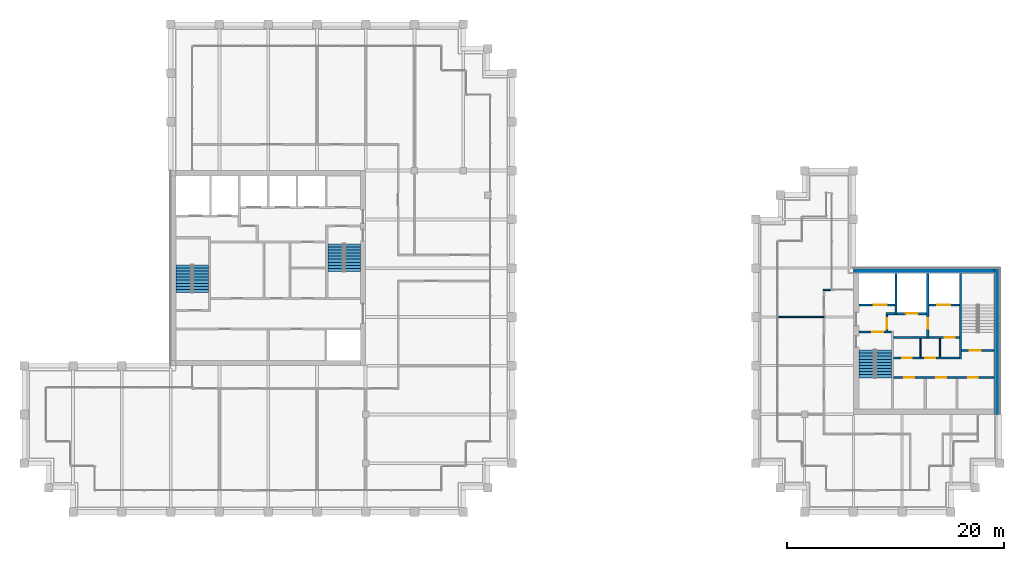
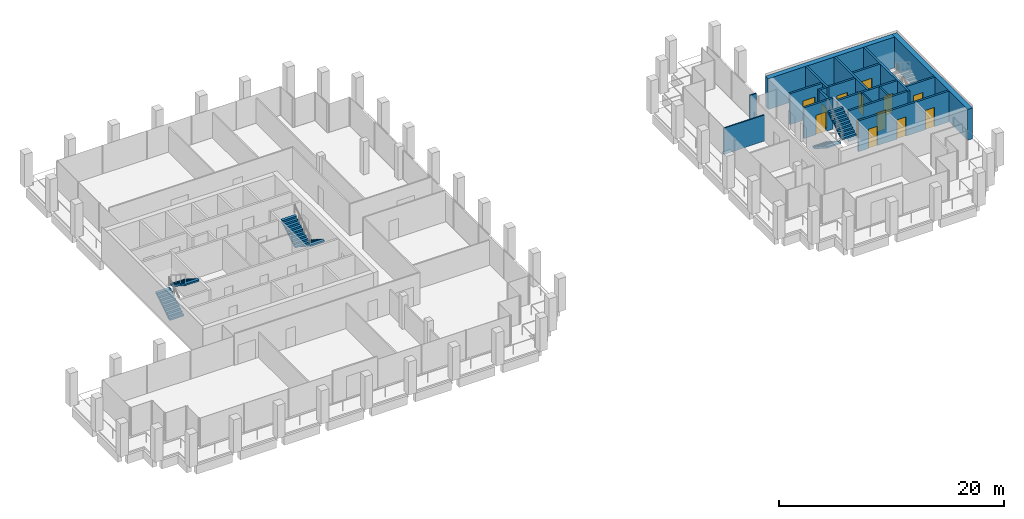
# One storey, part 38 of 40: 19 walls, 13 doors, 6 stair flights, 13 openings, 3 elements without a shape of their own.
"""IFC4 building model written with IfcOpenShell, lengths in metres."""

from ifc_helpers import new_model, si_unit, direction, frame, frame_2d, origin, place, context, subcontext, project, spatial, polyline, rectangle, outline, extrude, material, layer, layer_set, type_object, element, fill, aggregate, save


model = new_model("IFC4")

# Units and contexts
model_context = context("Model", 3, precision=1e-05, world=origin(), true_north=direction((0.0, 1.0)))
body_context = subcontext(model_context, "Body", "Model", "MODEL_VIEW")
ifc_project = project(units=[si_unit("LENGTHUNIT", "METRE"), si_unit("AREAUNIT", "SQUARE_METRE"), si_unit("VOLUMEUNIT", "CUBIC_METRE"), si_unit("PLANEANGLEUNIT", "RADIAN"), si_unit("MASSUNIT", "GRAM", prefix="KILO")], contexts=[model_context])

# Site, building, storey
site_placement = place(None, origin())
site = spatial("IfcSite", under=ifc_project, at=site_placement, CompositionType="ELEMENT")
building_placement = place(site_placement, origin())
building = spatial("IfcBuilding", under=site, at=building_placement, Name="Altepetl Exchange Towers", CompositionType="ELEMENT")
storey_placement = place(building_placement, frame((0.0, 0.0, 199.199951171875)))
storey = spatial("IfcBuildingStorey", under=building, at=storey_placement, Name="L50", CompositionType="ELEMENT", Elevation=199.199951171875)

# Walls
ifc_material_1 = material(Name="Concrete C70/85", Category="concrete")
ifc_layer_1 = layer(ifc_material_1, 0.5)
ifc_layer_set_1 = layer_set([ifc_layer_1], Name="Concrete C70/85")
wall_type_1 = type_object("IfcWallType", Name="Core wall 500 reinforced concrete external", PredefinedType="SHEAR", material=ifc_layer_set_1)
wall_1_placement = place(storey_placement, frame((116.75, 36.0, 0.0), z_axis=(0.0, 0.0, 1.0), x_axis=(0.0, 1.0, 0.0)))
element("IfcWall", 1, at=wall_1_placement, inside=storey, type_object=wall_type_1, Name="wall:B:L50:K-coreE", PredefinedType="SHEAR", context=body_context, shape_type="SweptSolid", body=[
    extrude(rectangle(XDim=13.5, YDim=0.5, at=frame_2d((6.75, 0.0))), origin(), (0.0, 0.0, 1.0), 3.35009765625),
])
wall_2_placement = place(storey_placement, frame((103.5, 49.25, 0.0)))
element("IfcWall", 2, at=wall_2_placement, inside=storey, type_object=wall_type_1, Name="wall:B:L50:K-coreN", PredefinedType="SHEAR", context=body_context, shape_type="SweptSolid", body=[
    extrude(rectangle(XDim=13.0, YDim=0.5, at=frame_2d((6.5, 0.0))), origin(), (0.0, 0.0, 1.0), 3.35009765625),
])
ifc_material_2 = material(Name="Concrete blockwork", Category="masonry")
ifc_layer_2 = layer(ifc_material_2, 0.199951171875)
ifc_layer_set_2 = layer_set([ifc_layer_2], Name="Concrete blockwork")
wall_type_2 = type_object("IfcWallType", Name="Lobby wall 200 blockwork", PredefinedType="PARTITIONING", material=ifc_layer_set_2)
wall_3_placement = place(storey_placement, frame((106.5, 45.300048828125, 0.0)))
element("IfcWall", 3, at=wall_3_placement, inside=storey, type_object=wall_type_2, Name="wall:B:L50:K-ffNw", PredefinedType="PARTITIONING", context=body_context, shape_type="SweptSolid", body=[
    extrude(rectangle(XDim=0.833251953125, YDim=0.199951171875, at=frame_2d((0.41650390625, 0.0))), origin(), (0.0, 0.0, 1.0), 3.35009765625),
])

# Wall, opening, door
wall_4_placement = place(storey_placement, frame((106.60009765625, 43.699951171875, 0.0), z_axis=(0.0, 0.0, 1.0), x_axis=(0.0, 1.0, 0.0)))
wall_4 = element("IfcWall", 4, at=wall_4_placement, inside=storey, type_object=wall_type_2, Name="wall:B:L50:K-ffW", PredefinedType="PARTITIONING", context=body_context, shape_type="SweptSolid", body=[
    extrude(rectangle(XDim=1.5, YDim=0.199951171875, at=frame_2d((0.75, 0.0))), origin(), (0.0, 0.0, 1.0), 3.35009765625),
])
opening_1_placement = place(wall_4_placement, frame((0.199951171875, 0.0, 0.0)))
opening_1 = element("IfcOpeningElement", 5, at=opening_1_placement, cuts=wall_4, Name="Opening L50.B65", PredefinedType="OPENING", context=body_context, shape_type="SweptSolid", body=[
    extrude(rectangle(XDim=1.0, YDim=2.10009765625, at=frame_2d((0.5, 1.050048828125))), frame((0.0, 0.10986328125, 0.0), z_axis=(0.0, -1.0, 0.0), x_axis=(1.0, 0.0, 0.0)), (0.0, 0.0, 1.0), 0.219970703125),
])
ifc_material_3 = material(Name="Steel and timber fire door", Category="steel")
door_type_1 = type_object("IfcDoorType", Name="Fire door 1000 x 2100 stair and lobby", OperationType="SINGLE_SWING_LEFT", PredefinedType="DOOR", material=ifc_material_3)
door_1_placement = place(opening_1_placement, frame((1.0, 0.0, 0.0), x_axis=(-1.0, 0.0, 0.0)))
door_1 = element("IfcDoor", 6, at=door_1_placement, inside=storey, type_object=door_type_1, Name="door:B:L50:K-dffW", OperationType="SINGLE_SWING_LEFT", OverallHeight=2.10009765625, OverallWidth=1.0, PredefinedType="DOOR", context=body_context, shape_type="SweptSolid", body=[
    extrude(rectangle(XDim=1.0, YDim=2.10009765625, at=frame_2d((0.5, 1.050048828125))), frame((0.0, 0.02490234375, 0.0), z_axis=(0.0, -1.0, 0.0), x_axis=(1.0, 0.0, 0.0)), (0.0, 0.0, 1.0), 0.050048828125),
])
fill(opening_1, door_1)

wall_5_placement = place(storey_placement, frame((107.199951171875, 43.10009765625, 0.0)))
wall_5 = element("IfcWall", 7, at=wall_5_placement, inside=storey, type_object=wall_type_2, Name="wall:B:L50:K-zoneN", PredefinedType="PARTITIONING", context=body_context, shape_type="SweptSolid", body=[
    extrude(rectangle(XDim=6.10009765625, YDim=0.199951171875, at=frame_2d((3.050048828125, 0.0))), origin(), (0.0, 0.0, 1.0), 3.35009765625),
])
opening_2_placement = place(wall_5_placement, frame((4.75, 0.0, 0.0)))
opening_2 = element("IfcOpeningElement", 8, at=opening_2_placement, cuts=wall_5, Name="Opening L50.B71", PredefinedType="OPENING", context=body_context, shape_type="SweptSolid", body=[
    extrude(rectangle(XDim=0.89990234375, YDim=2.10009765625, at=frame_2d((0.449951171875, 1.050048828125))), frame((0.0, 0.10986328125, 0.0), z_axis=(0.0, -1.0, 0.0), x_axis=(1.0, 0.0, 0.0)), (0.0, 0.0, 1.0), 0.219970703125),
])
door_type_2 = type_object("IfcDoorType", Name="Fire door 900 x 2100 service room", OperationType="SINGLE_SWING_LEFT", PredefinedType="DOOR", material=ifc_material_3)
door_2_placement = place(opening_2_placement, frame((0.89990234375, 0.0, 0.0), x_axis=(-1.0, 0.0, 0.0)))
door_2 = element("IfcDoor", 9, at=door_2_placement, inside=storey, type_object=door_type_2, Name="door:B:L50:K-dz3", OperationType="SINGLE_SWING_RIGHT", OverallHeight=2.10009765625, OverallWidth=0.89990234375, PredefinedType="DOOR", context=body_context, shape_type="SweptSolid", body=[
    extrude(rectangle(XDim=0.89990234375, YDim=2.10009765625, at=frame_2d((0.449951171875, 1.050048828125))), frame((0.0, 0.02490234375, 0.0), z_axis=(0.0, -1.0, 0.0), x_axis=(1.0, 0.0, 0.0)), (0.0, 0.0, 1.0), 0.050048828125),
])
fill(opening_2, door_2)

# Wall, openings, doors
wall_6_placement = place(storey_placement, frame((107.199951171875, 41.199951171875, 0.0)))
wall_6 = element("IfcWall", 10, at=wall_6_placement, inside=storey, type_object=wall_type_2, Name="wall:B:L50:K-zoneS", PredefinedType="PARTITIONING", context=body_context, shape_type="SweptSolid", body=[
    extrude(rectangle(XDim=6.10009765625, YDim=0.199951171875, at=frame_2d((3.050048828125, 0.0))), origin(), (0.0, 0.0, 1.0), 3.35009765625),
])
opening_3_placement = place(wall_6_placement, frame((0.800048828125, 0.0, 0.0)))
opening_3 = element("IfcOpeningElement", 11, at=opening_3_placement, cuts=wall_6, Name="Opening L50.B69", PredefinedType="OPENING", context=body_context, shape_type="SweptSolid", body=[
    extrude(rectangle(XDim=0.89990234375, YDim=2.10009765625, at=frame_2d((0.449951171875, 1.050048828125))), frame((0.0, 0.10986328125, 0.0), z_axis=(0.0, -1.0, 0.0), x_axis=(1.0, 0.0, 0.0)), (0.0, 0.0, 1.0), 0.219970703125),
])
opening_4_placement = place(wall_6_placement, frame((2.949951171875, 0.0, 0.0)))
opening_4 = element("IfcOpeningElement", 12, at=opening_4_placement, cuts=wall_6, Name="Opening L50.B70", PredefinedType="OPENING", context=body_context, shape_type="SweptSolid", body=[
    extrude(rectangle(XDim=0.89990234375, YDim=2.10009765625, at=frame_2d((0.449951171875, 1.050048828125))), frame((0.0, 0.10986328125, 0.0), z_axis=(0.0, -1.0, 0.0), x_axis=(1.0, 0.0, 0.0)), (0.0, 0.0, 1.0), 0.219970703125),
])
door_3_placement = place(opening_3_placement, origin())
door_3 = element("IfcDoor", 13, at=door_3_placement, inside=storey, type_object=door_type_2, Name="door:B:L50:K-dz1", OperationType="SINGLE_SWING_RIGHT", OverallHeight=2.10009765625, OverallWidth=0.89990234375, PredefinedType="DOOR", context=body_context, shape_type="SweptSolid", body=[
    extrude(rectangle(XDim=0.89990234375, YDim=2.10009765625, at=frame_2d((0.449951171875, 1.050048828125))), frame((0.0, 0.02490234375, 0.0), z_axis=(0.0, -1.0, 0.0), x_axis=(1.0, 0.0, 0.0)), (0.0, 0.0, 1.0), 0.050048828125),
])
fill(opening_3, door_3)
door_4_placement = place(opening_4_placement, origin())
door_4 = element("IfcDoor", 14, at=door_4_placement, inside=storey, type_object=door_type_2, Name="door:B:L50:K-dz2", OperationType="SINGLE_SWING_RIGHT", OverallHeight=2.10009765625, OverallWidth=0.89990234375, PredefinedType="DOOR", context=body_context, shape_type="SweptSolid", body=[
    extrude(rectangle(XDim=0.89990234375, YDim=2.10009765625, at=frame_2d((0.449951171875, 1.050048828125))), frame((0.0, 0.02490234375, 0.0), z_axis=(0.0, -1.0, 0.0), x_axis=(1.0, 0.0, 0.0)), (0.0, 0.0, 1.0), 0.050048828125),
])
fill(opening_4, door_4)

# Walls
ifc_material_4 = material(Name="Gypsum board on steel studs", Category="steel")
ifc_layer_3 = layer(ifc_material_4, 0.125)
ifc_layer_set_3 = layer_set([ifc_layer_3], Name="Gypsum board on steel studs")
wall_type_3 = type_object("IfcWallType", Name="Partition 125 gypsum board on steel studs", PredefinedType="PARTITIONING", material=ifc_layer_set_3)
for number, where, z_axis, x_axis, name in (
    (15, (109.699951171875, 41.300048828125, 0.0), (0.0, 0.0, 1.0), (0.0, 1.0, 0.0), "wall:B:L50:K-zp1"),
    (16, (111.5, 41.300048828125, 0.0), (0.0, 0.0, 1.0), (0.0, 1.0, 0.0), "wall:B:L50:K-zp2"),
):
    element("IfcWall", number, at=place(storey_placement, frame(where, z_axis=z_axis, x_axis=x_axis)), inside=storey, type_object=wall_type_3, Name=name, PredefinedType="PARTITIONING", context=body_context, shape_type="SweptSolid", body=[
        extrude(rectangle(XDim=1.699951171875, YDim=0.125, at=frame_2d((0.85009765625, 0.0))), origin(), (0.0, 0.0, 1.0), 3.35009765625),
    ])
wall_7_placement = place(storey_placement, frame((96.60009765625, 45.0, 0.0)))
element("IfcWall", 17, at=wall_7_placement, inside=storey, type_object=wall_type_3, Name="wall:B:L50:P06", PredefinedType="PARTITIONING", context=body_context, shape_type="SweptSolid", body=[
    extrude(rectangle(XDim=4.199951171875, YDim=0.125, at=frame_2d((2.10009765625, 0.0))), origin(), (0.0, 0.0, 1.0), 2.85107421875),
])
wall_8_placement = place(storey_placement, frame((100.737548828125, 47.5, 0.0)))
element("IfcWall", 18, at=wall_8_placement, inside=storey, type_object=wall_type_3, Name="wall:B:L50:P07", PredefinedType="PARTITIONING", context=body_context, shape_type="SweptSolid", body=[
    extrude(rectangle(XDim=0.662353515625, YDim=0.125, at=frame_2d((0.3310546875, 0.0))), origin(), (0.0, 0.0, 1.0), 3.449951171875),
])
ifc_material_5 = material(Name="Concrete C40/50", Category="concrete")
ifc_layer_4 = layer(ifc_material_5, 0.199951171875)
ifc_layer_set_4 = layer_set([ifc_layer_4], Name="Concrete C40/50")
wall_type_4 = type_object("IfcWallType", Name="Shaft wall 200 reinforced concrete", PredefinedType="SHEAR", material=ifc_layer_set_4)
wall_9_placement = place(storey_placement, frame((107.433349609375, 49.0, 0.0), z_axis=(0.0, 0.0, 1.0), x_axis=(0.0, -1.0, 0.0)))
element("IfcWall", 19, at=wall_9_placement, inside=storey, type_object=wall_type_4, Name="wall:B:L50:K-divN1", PredefinedType="SHEAR", context=body_context, shape_type="SweptSolid", body=[
    extrude(rectangle(XDim=3.800048828125, YDim=0.199951171875, at=frame_2d((1.89990234375, 0.0))), origin(), (0.0, 0.0, 1.0), 3.35009765625),
])

# Wall, opening, door
wall_10_placement = place(storey_placement, frame((110.36669921875, 49.0, 0.0), z_axis=(0.0, 0.0, 1.0), x_axis=(0.0, -1.0, 0.0)))
wall_10 = element("IfcWall", 20, at=wall_10_placement, inside=storey, type_object=wall_type_4, Name="wall:B:L50:K-divN2", PredefinedType="SHEAR", context=body_context, shape_type="SweptSolid", body=[
    extrude(rectangle(XDim=5.89990234375, YDim=0.199951171875, at=frame_2d((2.949951171875, 0.0))), origin(), (0.0, 0.0, 1.0), 3.35009765625),
])
opening_5_placement = place(wall_10_placement, frame((4.10009765625, 0.0, 0.0)))
opening_5 = element("IfcOpeningElement", 21, at=opening_5_placement, cuts=wall_10, Name="Opening L50.B64", PredefinedType="OPENING", context=body_context, shape_type="SweptSolid", body=[
    extrude(rectangle(XDim=1.0, YDim=2.10009765625, at=frame_2d((0.5, 1.050048828125))), frame((0.0, 0.10986328125, 0.0), z_axis=(0.0, -1.0, 0.0), x_axis=(1.0, 0.0, 0.0)), (0.0, 0.0, 1.0), 0.219970703125),
])
door_5_placement = place(opening_5_placement, frame((1.0, 0.0, 0.0), x_axis=(-1.0, 0.0, 0.0)))
door_5 = element("IfcDoor", 22, at=door_5_placement, inside=storey, type_object=door_type_1, Name="door:B:L50:K-dffE", OperationType="SINGLE_SWING_RIGHT", OverallHeight=2.10009765625, OverallWidth=1.0, PredefinedType="DOOR", context=body_context, shape_type="SweptSolid", body=[
    extrude(rectangle(XDim=1.0, YDim=2.10009765625, at=frame_2d((0.5, 1.050048828125))), frame((0.0, 0.02490234375, 0.0), z_axis=(0.0, -1.0, 0.0), x_axis=(1.0, 0.0, 0.0)), (0.0, 0.0, 1.0), 0.050048828125),
])
fill(opening_5, door_5)

wall_11_placement = place(storey_placement, frame((104.0, 46.10009765625, 0.0)))
wall_11 = element("IfcWall", 23, at=wall_11_placement, inside=storey, type_object=wall_type_4, Name="wall:B:L50:K-frontNa", PredefinedType="SHEAR", context=body_context, shape_type="SweptSolid", body=[
    extrude(rectangle(XDim=3.333251953125, YDim=0.199951171875, at=frame_2d((1.66650390625, 0.0))), origin(), (0.0, 0.0, 1.0), 3.35009765625),
])
opening_6_placement = place(wall_11_placement, frame((1.36669921875, 0.0, 0.0)))
opening_6 = element("IfcOpeningElement", 24, at=opening_6_placement, cuts=wall_11, Name="Opening L50.B73", PredefinedType="OPENING", context=body_context, shape_type="SweptSolid", body=[
    extrude(rectangle(XDim=1.199951171875, YDim=2.10009765625, at=frame_2d((0.60009765625, 1.050048828125))), frame((0.0, 0.10986328125, 0.0), z_axis=(0.0, -1.0, 0.0), x_axis=(1.0, 0.0, 0.0)), (0.0, 0.0, 1.0), 0.219970703125),
])
ifc_material_6 = material(Name="Stainless steel", Category="steel")
door_type_3 = type_object("IfcDoorType", Name="Lift landing door 1200 x 2100", OperationType="SLIDING_TO_LEFT", PredefinedType="DOOR", material=ifc_material_6)
door_6_placement = place(opening_6_placement, origin())
door_6 = element("IfcDoor", 25, at=door_6_placement, inside=storey, type_object=door_type_3, Name="Landing door P4", OperationType="SLIDING_TO_LEFT", OverallHeight=2.10009765625, OverallWidth=1.199951171875, PredefinedType="DOOR", context=body_context, shape_type="SweptSolid", body=[
    extrude(rectangle(XDim=1.199951171875, YDim=2.10009765625, at=frame_2d((0.60009765625, 1.050048828125))), frame((0.0, 0.02490234375, 0.0), z_axis=(0.0, -1.0, 0.0), x_axis=(1.0, 0.0, 0.0)), (0.0, 0.0, 1.0), 0.050048828125),
])
fill(opening_6, door_6)

wall_12_placement = place(storey_placement, frame((110.466796875, 46.10009765625, 0.0)))
wall_12 = element("IfcWall", 26, at=wall_12_placement, inside=storey, type_object=wall_type_4, Name="wall:B:L50:K-frontNb", PredefinedType="SHEAR", context=body_context, shape_type="SweptSolid", body=[
    extrude(rectangle(XDim=2.833251953125, YDim=0.199951171875, at=frame_2d((1.41650390625, 0.0))), origin(), (0.0, 0.0, 1.0), 3.35009765625),
])
opening_7_placement = place(wall_12_placement, frame((0.7666015625, 0.0, 0.0)))
opening_7 = element("IfcOpeningElement", 27, at=opening_7_placement, cuts=wall_12, Name="Opening L50.B74", PredefinedType="OPENING", context=body_context, shape_type="SweptSolid", body=[
    extrude(rectangle(XDim=1.199951171875, YDim=2.10009765625, at=frame_2d((0.60009765625, 1.050048828125))), frame((0.0, 0.10986328125, 0.0), z_axis=(0.0, -1.0, 0.0), x_axis=(1.0, 0.0, 0.0)), (0.0, 0.0, 1.0), 0.219970703125),
])
door_7_placement = place(opening_7_placement, origin())
door_7 = element("IfcDoor", 28, at=door_7_placement, inside=storey, type_object=door_type_3, Name="Landing door P5", OperationType="SLIDING_TO_LEFT", OverallHeight=2.10009765625, OverallWidth=1.199951171875, PredefinedType="DOOR", context=body_context, shape_type="SweptSolid", body=[
    extrude(rectangle(XDim=1.199951171875, YDim=2.10009765625, at=frame_2d((0.60009765625, 1.050048828125))), frame((0.0, 0.02490234375, 0.0), z_axis=(0.0, -1.0, 0.0), x_axis=(1.0, 0.0, 0.0)), (0.0, 0.0, 1.0), 0.050048828125),
])
fill(opening_7, door_7)

wall_13_placement = place(storey_placement, frame((107.533203125, 45.300048828125, 0.0)))
wall_13 = element("IfcWall", 29, at=wall_13_placement, inside=storey, type_object=wall_type_4, Name="wall:B:L50:K-frontNd", PredefinedType="SHEAR", context=body_context, shape_type="SweptSolid", body=[
    extrude(rectangle(XDim=2.7333984375, YDim=0.199951171875, at=frame_2d((1.36669921875, 0.0))), origin(), (0.0, 0.0, 1.0), 3.35009765625),
])
opening_8_placement = place(wall_13_placement, frame((0.816650390625, 0.0, 0.0)))
opening_8 = element("IfcOpeningElement", 30, at=opening_8_placement, cuts=wall_13, Name="Opening L50.B72", PredefinedType="OPENING", context=body_context, shape_type="SweptSolid", body=[
    extrude(rectangle(XDim=1.10009765625, YDim=2.10009765625, at=frame_2d((0.550048828125, 1.050048828125))), frame((0.0, 0.10986328125, 0.0), z_axis=(0.0, -1.0, 0.0), x_axis=(1.0, 0.0, 0.0)), (0.0, 0.0, 1.0), 0.219970703125),
])
door_type_4 = type_object("IfcDoorType", Name="Lift landing door 1100 x 2100", OperationType="SLIDING_TO_LEFT", PredefinedType="DOOR", material=ifc_material_6)
door_8_placement = place(opening_8_placement, origin())
door_8 = element("IfcDoor", 31, at=door_8_placement, inside=storey, type_object=door_type_4, Name="Landing door FFL1", OperationType="SLIDING_TO_LEFT", OverallHeight=2.10009765625, OverallWidth=1.10009765625, PredefinedType="DOOR", context=body_context, shape_type="SweptSolid", body=[
    extrude(rectangle(XDim=1.10009765625, YDim=2.10009765625, at=frame_2d((0.550048828125, 1.050048828125))), frame((0.0, 0.02490234375, 0.0), z_axis=(0.0, -1.0, 0.0), x_axis=(1.0, 0.0, 0.0)), (0.0, 0.0, 1.0), 0.050048828125),
])
fill(opening_8, door_8)

# Wall, openings, doors
wall_14_placement = place(storey_placement, frame((107.199951171875, 39.39990234375, 0.0)))
wall_14 = element("IfcWall", 32, at=wall_14_placement, inside=storey, type_object=wall_type_4, Name="wall:B:L50:K-frontS", PredefinedType="SHEAR", context=body_context, shape_type="SweptSolid", body=[
    extrude(rectangle(XDim=9.300048828125, YDim=0.199951171875, at=frame_2d((4.64990234375, 0.0))), origin(), (0.0, 0.0, 1.0), 3.35009765625),
])
opening_9_placement = place(wall_14_placement, frame((1.0166015625, 0.0, 0.0)))
opening_9 = element("IfcOpeningElement", 33, at=opening_9_placement, cuts=wall_14, Name="Opening L50.B66", PredefinedType="OPENING", context=body_context, shape_type="SweptSolid", body=[
    extrude(rectangle(XDim=0.89990234375, YDim=2.10009765625, at=frame_2d((0.449951171875, 1.050048828125))), frame((0.0, 0.10986328125, 0.0), z_axis=(0.0, -1.0, 0.0), x_axis=(1.0, 0.0, 0.0)), (0.0, 0.0, 1.0), 0.219970703125),
])
opening_10_placement = place(wall_14_placement, frame((3.949951171875, 0.0, 0.0)))
opening_10 = element("IfcOpeningElement", 34, at=opening_10_placement, cuts=wall_14, Name="Opening L50.B67", PredefinedType="OPENING", context=body_context, shape_type="SweptSolid", body=[
    extrude(rectangle(XDim=0.89990234375, YDim=2.10009765625, at=frame_2d((0.449951171875, 1.050048828125))), frame((0.0, 0.10986328125, 0.0), z_axis=(0.0, -1.0, 0.0), x_axis=(1.0, 0.0, 0.0)), (0.0, 0.0, 1.0), 0.219970703125),
])
opening_11_placement = place(wall_14_placement, frame((6.88330078125, 0.0, 0.0)))
opening_11 = element("IfcOpeningElement", 35, at=opening_11_placement, cuts=wall_14, Name="Opening L50.B68", PredefinedType="OPENING", context=body_context, shape_type="SweptSolid", body=[
    extrude(rectangle(XDim=0.89990234375, YDim=2.10009765625, at=frame_2d((0.449951171875, 1.050048828125))), frame((0.0, 0.10986328125, 0.0), z_axis=(0.0, -1.0, 0.0), x_axis=(1.0, 0.0, 0.0)), (0.0, 0.0, 1.0), 0.219970703125),
])
door_9_placement = place(opening_9_placement, frame((0.89990234375, 0.0, 0.0), x_axis=(-1.0, 0.0, 0.0)))
door_9 = element("IfcDoor", 36, at=door_9_placement, inside=storey, type_object=door_type_2, Name="door:B:L50:K-dslotS0", OperationType="SINGLE_SWING_LEFT", OverallHeight=2.10009765625, OverallWidth=0.89990234375, PredefinedType="DOOR", context=body_context, shape_type="SweptSolid", body=[
    extrude(rectangle(XDim=0.89990234375, YDim=2.10009765625, at=frame_2d((0.449951171875, 1.050048828125))), frame((0.0, 0.02490234375, 0.0), z_axis=(0.0, -1.0, 0.0), x_axis=(1.0, 0.0, 0.0)), (0.0, 0.0, 1.0), 0.050048828125),
])
fill(opening_9, door_9)
door_10_placement = place(opening_10_placement, frame((0.89990234375, 0.0, 0.0), x_axis=(-1.0, 0.0, 0.0)))
door_10 = element("IfcDoor", 37, at=door_10_placement, inside=storey, type_object=door_type_2, Name="door:B:L50:K-dslotS1", OperationType="SINGLE_SWING_LEFT", OverallHeight=2.10009765625, OverallWidth=0.89990234375, PredefinedType="DOOR", context=body_context, shape_type="SweptSolid", body=[
    extrude(rectangle(XDim=0.89990234375, YDim=2.10009765625, at=frame_2d((0.449951171875, 1.050048828125))), frame((0.0, 0.02490234375, 0.0), z_axis=(0.0, -1.0, 0.0), x_axis=(1.0, 0.0, 0.0)), (0.0, 0.0, 1.0), 0.050048828125),
])
fill(opening_10, door_10)
door_11_placement = place(opening_11_placement, frame((0.89990234375, 0.0, 0.0), x_axis=(-1.0, 0.0, 0.0)))
door_11 = element("IfcDoor", 38, at=door_11_placement, inside=storey, type_object=door_type_2, Name="door:B:L50:K-dslotS2", OperationType="SINGLE_SWING_LEFT", OverallHeight=2.10009765625, OverallWidth=0.89990234375, PredefinedType="DOOR", context=body_context, shape_type="SweptSolid", body=[
    extrude(rectangle(XDim=0.89990234375, YDim=2.10009765625, at=frame_2d((0.449951171875, 1.050048828125))), frame((0.0, 0.02490234375, 0.0), z_axis=(0.0, -1.0, 0.0), x_axis=(1.0, 0.0, 0.0)), (0.0, 0.0, 1.0), 0.050048828125),
])
fill(opening_11, door_11)

# Wall, opening, door
ifc_layer_5 = layer(ifc_material_5, 0.199951171875)
ifc_layer_set_5 = layer_set([ifc_layer_5], Name="Concrete C40/50")
wall_type_5 = type_object("IfcWallType", Name="Stair wall 200 reinforced concrete", PredefinedType="SHEAR", material=ifc_layer_set_5)
wall_15_placement = place(storey_placement, frame((104.0, 43.60009765625, 0.0)))
wall_15 = element("IfcWall", 39, at=wall_15_placement, inside=storey, type_object=wall_type_5, Name="wall:B:L50:K-stS1N", PredefinedType="SHEAR", context=body_context, shape_type="SweptSolid", body=[
    extrude(rectangle(XDim=3.0, YDim=0.199951171875, at=frame_2d((1.5, 0.0))), origin(), (0.0, 0.0, 1.0), 3.35009765625),
])
opening_12_placement = place(wall_15_placement, frame((1.25, 0.0, 0.0)))
opening_12 = element("IfcOpeningElement", 40, at=opening_12_placement, cuts=wall_15, Name="Opening L50.B61", PredefinedType="OPENING", context=body_context, shape_type="SweptSolid", body=[
    extrude(rectangle(XDim=1.0, YDim=2.10009765625, at=frame_2d((0.5, 1.050048828125))), frame((0.0, 0.10986328125, 0.0), z_axis=(0.0, -1.0, 0.0), x_axis=(1.0, 0.0, 0.0)), (0.0, 0.0, 1.0), 0.219970703125),
])
door_12_placement = place(opening_12_placement, frame((1.0, 0.0, 0.0), x_axis=(-1.0, 0.0, 0.0)))
door_12 = element("IfcDoor", 41, at=door_12_placement, inside=storey, type_object=door_type_1, Name="door:B:L50:K-dS1in", OperationType="SINGLE_SWING_LEFT", OverallHeight=2.10009765625, OverallWidth=1.0, PredefinedType="DOOR", context=body_context, shape_type="SweptSolid", body=[
    extrude(rectangle(XDim=1.0, YDim=2.10009765625, at=frame_2d((0.5, 1.050048828125))), frame((0.0, 0.02490234375, 0.0), z_axis=(0.0, -1.0, 0.0), x_axis=(1.0, 0.0, 0.0)), (0.0, 0.0, 1.0), 0.050048828125),
])
fill(opening_12, door_12)

wall_16_placement = place(storey_placement, frame((113.5, 41.89990234375, 0.0)))
wall_16 = element("IfcWall", 42, at=wall_16_placement, inside=storey, type_object=wall_type_5, Name="wall:B:L50:K-stS2S", PredefinedType="SHEAR", context=body_context, shape_type="SweptSolid", body=[
    extrude(rectangle(XDim=3.0, YDim=0.199951171875, at=frame_2d((1.5, 0.0))), origin(), (0.0, 0.0, 1.0), 3.35009765625),
])
opening_13_placement = place(wall_16_placement, frame((0.75, 0.0, 0.0)))
opening_13 = element("IfcOpeningElement", 43, at=opening_13_placement, cuts=wall_16, Name="Opening L50.B63", PredefinedType="OPENING", context=body_context, shape_type="SweptSolid", body=[
    extrude(rectangle(XDim=1.0, YDim=2.10009765625, at=frame_2d((0.5, 1.050048828125))), frame((0.0, 0.10986328125, 0.0), z_axis=(0.0, -1.0, 0.0), x_axis=(1.0, 0.0, 0.0)), (0.0, 0.0, 1.0), 0.219970703125),
])
door_13_placement = place(opening_13_placement, origin())
door_13 = element("IfcDoor", 44, at=door_13_placement, inside=storey, type_object=door_type_1, Name="door:B:L50:K-dS2in", OperationType="SINGLE_SWING_RIGHT", OverallHeight=2.10009765625, OverallWidth=1.0, PredefinedType="DOOR", context=body_context, shape_type="SweptSolid", body=[
    extrude(rectangle(XDim=1.0, YDim=2.10009765625, at=frame_2d((0.5, 1.050048828125))), frame((0.0, 0.02490234375, 0.0), z_axis=(0.0, -1.0, 0.0), x_axis=(1.0, 0.0, 0.0)), (0.0, 0.0, 1.0), 0.050048828125),
])
fill(opening_13, door_13)

# Wall
wall_17_placement = place(storey_placement, frame((113.39990234375, 41.10009765625, 0.0), z_axis=(0.0, 0.0, 1.0), x_axis=(0.0, 1.0, 0.0)))
element("IfcWall", 45, at=wall_17_placement, inside=storey, type_object=wall_type_5, Name="wall:B:L50:K-stS2W", PredefinedType="SHEAR", context=body_context, shape_type="SweptSolid", body=[
    extrude(rectangle(XDim=7.89990234375, YDim=0.199951171875, at=frame_2d((3.949951171875, 0.0))), origin(), (0.0, 0.0, 1.0), 3.35009765625),
])

# Stair, stair flights
stair_type = type_object("IfcStairType", Name="Exit stair 1450 flights dogleg", PredefinedType="HALF_TURN_STAIR", material=ifc_material_5)
stair_1_placement = place(storey_placement, origin())
stair_1 = element("IfcStair", 46, at=stair_1_placement, inside=storey, type_object=stair_type, Name="Exit stair 1", PredefinedType="HALF_TURN_STAIR")
stair_flight_type = type_object("IfcStairFlightType", Name="Stair flight 1450 wide", PredefinedType="STRAIGHT", material=ifc_material_5)
stair_flight_1_placement = place(storey_placement, frame((41.72509765625, 47.25, 0.0), z_axis=(0.0, 0.0, 1.0), x_axis=(0.0, 1.0, 0.0)))
stair_flight_1 = element("IfcStairFlight", 47, at=stair_flight_1_placement, type_object=stair_flight_type, Name="ST-A1f flight 1", NumberOfRisers=10, NumberOfTreads=9, PredefinedType="STRAIGHT", RiserHeight=0.18, TreadLength=0.285, context=body_context, shape_type="SweptSolid", body=[
    extrude(outline(polyline([(0.0, 0.0), (0.0, 0.179931640625), (0.284912109375, 0.179931640625), (0.284912109375, 0.360107421875), (0.570068359375, 0.360107421875), (0.570068359375, 0.5400390625), (0.85498046875, 0.5400390625), (0.85498046875, 0.719970703125), (1.139892578125, 0.719970703125), (1.139892578125, 0.89990234375), (1.425048828125, 0.89990234375), (1.425048828125, 1.080078125), (1.7099609375, 1.080078125), (1.7099609375, 1.260009765625), (1.9951171875, 1.260009765625), (1.9951171875, 1.43994140625), (2.280029296875, 1.43994140625), (2.280029296875, 1.6201171875), (2.56494140625, 1.6201171875), (2.56494140625, 1.800048828125), (2.56494140625, 1.442626953125), (0.28076171875, 0.0), (0.0, 0.0)])), frame((0.0, 0.72509765625, 0.0), z_axis=(0.0, -1.0, 0.0), x_axis=(1.0, 0.0, 0.0)), (0.0, 0.0, 1.0), 1.449951171875),
])
stair_flight_2_placement = place(storey_placement, frame((43.27490234375, 49.81494140625, 1.800048828125), z_axis=(0.0, 0.0, 1.0), x_axis=(0.0, -1.0, 0.0)))
stair_flight_2 = element("IfcStairFlight", 48, at=stair_flight_2_placement, type_object=stair_flight_type, Name="ST-A1f flight 2", NumberOfRisers=10, NumberOfTreads=9, PredefinedType="STRAIGHT", RiserHeight=0.18, TreadLength=0.285, context=body_context, shape_type="SweptSolid", body=[
    extrude(outline(polyline([(0.0, 0.0), (0.0, 0.179931640625), (0.284912109375, 0.179931640625), (0.284912109375, 0.360107421875), (0.570068359375, 0.360107421875), (0.570068359375, 0.5400390625), (0.85498046875, 0.5400390625), (0.85498046875, 0.719970703125), (1.139892578125, 0.719970703125), (1.139892578125, 0.89990234375), (1.425048828125, 0.89990234375), (1.425048828125, 1.080078125), (1.7099609375, 1.080078125), (1.7099609375, 1.260009765625), (1.9951171875, 1.260009765625), (1.9951171875, 1.43994140625), (2.280029296875, 1.43994140625), (2.280029296875, 1.6201171875), (2.56494140625, 1.6201171875), (2.56494140625, 1.800048828125), (2.56494140625, 1.442626953125), (0.28076171875, 0.0), (0.0, 0.0)])), frame((0.0, 0.72509765625, 0.0), z_axis=(0.0, -1.0, 0.0), x_axis=(1.0, 0.0, 0.0)), (0.0, 0.0, 1.0), 1.449951171875),
])
aggregate(stair_1, [stair_flight_1, stair_flight_2])

stair_2_placement = place(storey_placement, origin())
stair_2 = element("IfcStair", 49, at=stair_2_placement, inside=storey, type_object=stair_type, Name="Exit stair 2", PredefinedType="HALF_TURN_STAIR")
stair_flight_3_placement = place(storey_placement, frame((57.27490234375, 51.75, 0.0), z_axis=(0.0, 0.0, 1.0), x_axis=(0.0, -1.0, 0.0)))
stair_flight_3 = element("IfcStairFlight", 50, at=stair_flight_3_placement, type_object=stair_flight_type, Name="ST-A2f flight 1", NumberOfRisers=10, NumberOfTreads=9, PredefinedType="STRAIGHT", RiserHeight=0.18, TreadLength=0.285, context=body_context, shape_type="SweptSolid", body=[
    extrude(outline(polyline([(0.0, 0.0), (0.0, 0.179931640625), (0.284912109375, 0.179931640625), (0.284912109375, 0.360107421875), (0.570068359375, 0.360107421875), (0.570068359375, 0.5400390625), (0.85498046875, 0.5400390625), (0.85498046875, 0.719970703125), (1.139892578125, 0.719970703125), (1.139892578125, 0.89990234375), (1.425048828125, 0.89990234375), (1.425048828125, 1.080078125), (1.7099609375, 1.080078125), (1.7099609375, 1.260009765625), (1.9951171875, 1.260009765625), (1.9951171875, 1.43994140625), (2.280029296875, 1.43994140625), (2.280029296875, 1.6201171875), (2.56494140625, 1.6201171875), (2.56494140625, 1.800048828125), (2.56494140625, 1.442626953125), (0.28076171875, 0.0), (0.0, 0.0)])), frame((0.0, 0.72509765625, 0.0), z_axis=(0.0, -1.0, 0.0), x_axis=(1.0, 0.0, 0.0)), (0.0, 0.0, 1.0), 1.449951171875),
])
stair_flight_4_placement = place(storey_placement, frame((55.72509765625, 49.18505859375, 1.800048828125), z_axis=(0.0, 0.0, 1.0), x_axis=(0.0, 1.0, 0.0)))
stair_flight_4 = element("IfcStairFlight", 51, at=stair_flight_4_placement, type_object=stair_flight_type, Name="ST-A2f flight 2", NumberOfRisers=10, NumberOfTreads=9, PredefinedType="STRAIGHT", RiserHeight=0.18, TreadLength=0.285, context=body_context, shape_type="SweptSolid", body=[
    extrude(outline(polyline([(0.0, 0.0), (0.0, 0.179931640625), (0.284912109375, 0.179931640625), (0.284912109375, 0.360107421875), (0.570068359375, 0.360107421875), (0.570068359375, 0.5400390625), (0.85498046875, 0.5400390625), (0.85498046875, 0.719970703125), (1.139892578125, 0.719970703125), (1.139892578125, 0.89990234375), (1.425048828125, 0.89990234375), (1.425048828125, 1.080078125), (1.7099609375, 1.080078125), (1.7099609375, 1.260009765625), (1.9951171875, 1.260009765625), (1.9951171875, 1.43994140625), (2.280029296875, 1.43994140625), (2.280029296875, 1.6201171875), (2.56494140625, 1.6201171875), (2.56494140625, 1.800048828125), (2.56494140625, 1.442626953125), (0.28076171875, 0.0), (0.0, 0.0)])), frame((0.0, 0.72509765625, 0.0), z_axis=(0.0, -1.0, 0.0), x_axis=(1.0, 0.0, 0.0)), (0.0, 0.0, 1.0), 1.449951171875),
])
aggregate(stair_2, [stair_flight_3, stair_flight_4])

stair_3_placement = place(storey_placement, origin())
stair_3 = element("IfcStair", 52, at=stair_3_placement, inside=storey, type_object=stair_type, Name="Exit stair 1", PredefinedType="HALF_TURN_STAIR")
stair_flight_5_placement = place(storey_placement, frame((104.72509765625, 41.949951171875, 0.0), z_axis=(0.0, 0.0, 1.0), x_axis=(0.0, -1.0, 0.0)))
stair_flight_5 = element("IfcStairFlight", 53, at=stair_flight_5_placement, type_object=stair_flight_type, Name="ST-B1f flight 1", NumberOfRisers=10, NumberOfTreads=9, PredefinedType="STRAIGHT", RiserHeight=0.18, TreadLength=0.285, context=body_context, shape_type="SweptSolid", body=[
    extrude(outline(polyline([(0.0, 0.0), (0.0, 0.179931640625), (0.284912109375, 0.179931640625), (0.284912109375, 0.360107421875), (0.570068359375, 0.360107421875), (0.570068359375, 0.5400390625), (0.85498046875, 0.5400390625), (0.85498046875, 0.719970703125), (1.139892578125, 0.719970703125), (1.139892578125, 0.89990234375), (1.425048828125, 0.89990234375), (1.425048828125, 1.080078125), (1.7099609375, 1.080078125), (1.7099609375, 1.260009765625), (1.9951171875, 1.260009765625), (1.9951171875, 1.43994140625), (2.280029296875, 1.43994140625), (2.280029296875, 1.6201171875), (2.56494140625, 1.6201171875), (2.56494140625, 1.800048828125), (2.56494140625, 1.442626953125), (0.28076171875, 0.0), (0.0, 0.0)])), frame((0.0, 0.72509765625, 0.0), z_axis=(0.0, -1.0, 0.0), x_axis=(1.0, 0.0, 0.0)), (0.0, 0.0, 1.0), 1.449951171875),
])
stair_flight_6_placement = place(storey_placement, frame((106.27490234375, 39.385009765625, 1.800048828125), z_axis=(0.0, 0.0, 1.0), x_axis=(0.0, 1.0, 0.0)))
stair_flight_6 = element("IfcStairFlight", 54, at=stair_flight_6_placement, type_object=stair_flight_type, Name="ST-B1f flight 2", NumberOfRisers=10, NumberOfTreads=9, PredefinedType="STRAIGHT", RiserHeight=0.18, TreadLength=0.285, context=body_context, shape_type="SweptSolid", body=[
    extrude(outline(polyline([(0.0, 0.0), (0.0, 0.179931640625), (0.284912109375, 0.179931640625), (0.284912109375, 0.360107421875), (0.570068359375, 0.360107421875), (0.570068359375, 0.5400390625), (0.85498046875, 0.5400390625), (0.85498046875, 0.719970703125), (1.139892578125, 0.719970703125), (1.139892578125, 0.89990234375), (1.425048828125, 0.89990234375), (1.425048828125, 1.080078125), (1.7099609375, 1.080078125), (1.7099609375, 1.260009765625), (1.9951171875, 1.260009765625), (1.9951171875, 1.43994140625), (2.280029296875, 1.43994140625), (2.280029296875, 1.6201171875), (2.56494140625, 1.6201171875), (2.56494140625, 1.800048828125), (2.56494140625, 1.442626953125), (0.28076171875, 0.0), (0.0, 0.0)])), frame((0.0, 0.72509765625, 0.0), z_axis=(0.0, -1.0, 0.0), x_axis=(1.0, 0.0, 0.0)), (0.0, 0.0, 1.0), 1.449951171875),
])
aggregate(stair_3, [stair_flight_5, stair_flight_6])

save(model, "model.ifc")
